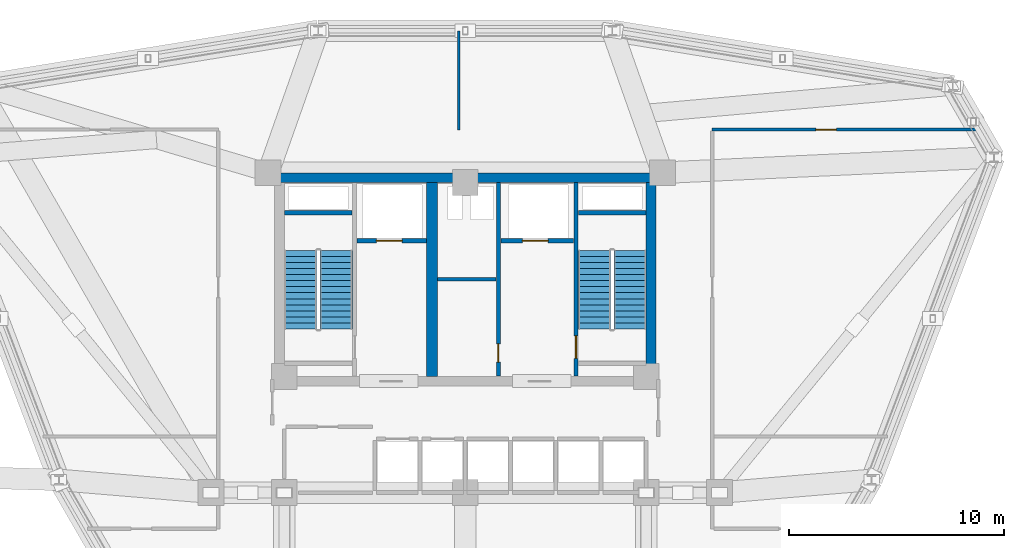
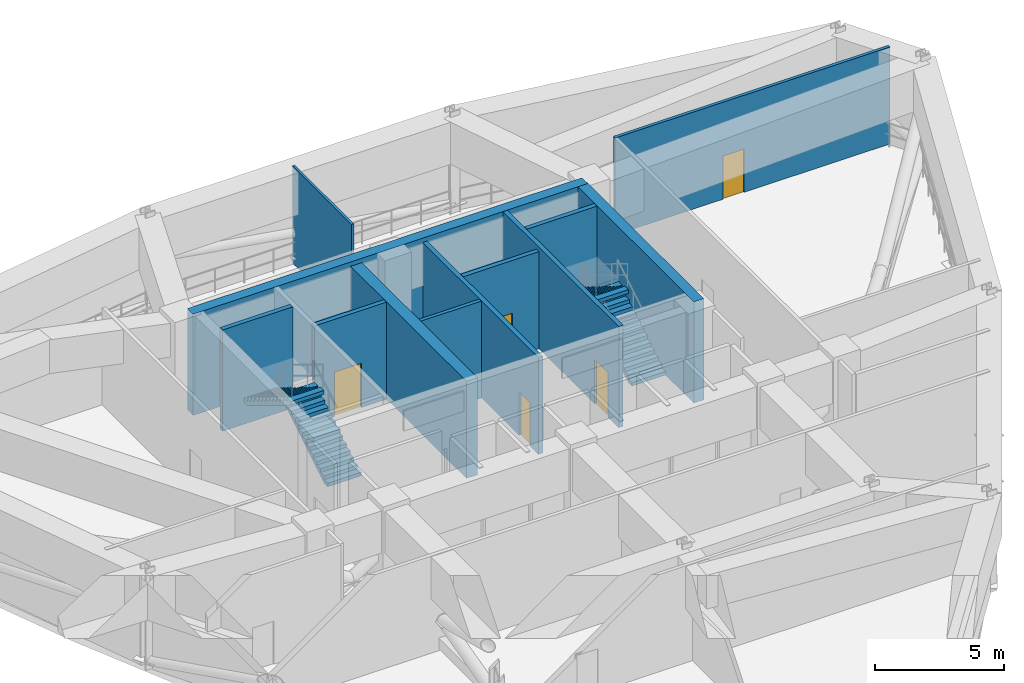
# One storey, part 9 of 13: 12 walls, 5 doors, 4 stair flights, 5 openings, 2 elements without a shape of their own.
"""IFC4 building model written with IfcOpenShell, lengths in metres."""

from ifc_helpers import new_model, si_unit, derived_unit, direction, frame, frame_2d, origin, place, context, subcontext, project, spatial, polyline, rectangle, outline, extrude, material, layer, layer_set, type_object, element, fill, aggregate, save


model = new_model("IFC4")

# Units and contexts
model_context = context("Model", 3, precision=1e-05, world=origin(), true_north=direction((0.0, 1.0)))
body_context = subcontext(model_context, "Body", "Model", "MODEL_VIEW")
ifc_project = project(units=[si_unit("LENGTHUNIT", "METRE"), si_unit("AREAUNIT", "SQUARE_METRE"), si_unit("VOLUMEUNIT", "CUBIC_METRE"), si_unit("PLANEANGLEUNIT", "RADIAN"), si_unit("MASSUNIT", "GRAM", prefix="KILO"), derived_unit("THERMALTRANSMITTANCEUNIT", [(si_unit("POWERUNIT", "WATT"), 1), (si_unit("LENGTHUNIT", "METRE"), -2), (si_unit("THERMODYNAMICTEMPERATUREUNIT", "KELVIN"), -1)])], contexts=[model_context])

# Site, building, storey
site_placement = place(None, origin())
site = spatial("IfcSite", under=ifc_project, at=site_placement, CompositionType="ELEMENT")
building_placement = place(site_placement, origin())
building = spatial("IfcBuilding", under=site, at=building_placement, Name="Korsvarv Bourse and Concert Hall", CompositionType="ELEMENT")
storey_placement = place(building_placement, frame((0.0, 0.0, 131.39990234375)))
storey = spatial("IfcBuildingStorey", under=building, at=storey_placement, Name="L33", CompositionType="ELEMENT", Elevation=131.39990234375)

# Wall
ifc_material_1 = material(Name="Concrete C50/60", Category="concrete")
ifc_layer_1 = layer(ifc_material_1, 0.3798828125)
ifc_layer_set_1 = layer_set([ifc_layer_1], Name="Concrete C50/60")
wall_type_1 = type_object("IfcWallType", Name="WL-CORE-380", PredefinedType="SHEAR", material=ifc_layer_set_1)
wall_1_placement = place(storey_placement, frame((27.610107421875, 45.39990234375, 0.0), z_axis=(0.0, 0.0, 1.0), x_axis=(1.0, 0.0, 0.0)))
element("IfcWall", 1, at=wall_1_placement, inside=storey, type_object=wall_type_1, Name="L33 stair shaft structural wall W-L33-ST1-N", PredefinedType="SHEAR", context=body_context, shape_type="SweptSolid", body=[
    extrude(rectangle(XDim=3.139892578125, YDim=0.199951171875, at=frame_2d((1.56982421875, 0.0))), origin(), (0.0, 0.0, 1.0), 4.800048828125),
])

# Wall, opening, door
wall_2_placement = place(storey_placement, frame((41.139892578125, 37.81005859375, 0.0), z_axis=(0.0, 0.0, 1.0), x_axis=(0.0, 1.0, 0.0)))
wall_2 = element("IfcWall", 2, at=wall_2_placement, inside=storey, type_object=wall_type_1, Name="L33 stair shaft structural wall W-L33-ST2-W", PredefinedType="SHEAR", context=body_context, shape_type="SweptSolid", body=[
    extrude(rectangle(XDim=8.97998046875, YDim=0.199951171875, at=frame_2d((4.489990234375, 0.0))), origin(), (0.0, 0.0, 1.0), 4.800048828125),
])
opening_1_placement = place(wall_2_placement, frame((0.820068359375, 0.0, 0.0)))
opening_1 = element("IfcOpeningElement", 3, at=opening_1_placement, cuts=wall_2, Name="Opening D-01", PredefinedType="OPENING", context=body_context, shape_type="SweptSolid", body=[
    extrude(rectangle(XDim=1.050048828125, YDim=2.10009765625, at=frame_2d((0.52490234375, 1.050048828125))), frame((0.0, 0.10986328125, 0.0), z_axis=(0.0, -1.0, 0.0), x_axis=(1.0, 0.0, 0.0)), (0.0, 0.0, 1.0), 0.219970703125),
])
ifc_material_2 = material(Name="Steel S355 fire door", Category="steel")
door_type_1 = type_object("IfcDoorType", Name="DR-FD60", OperationType="NOTDEFINED", PredefinedType="DOOR", material=ifc_material_2)
door_1_placement = place(opening_1_placement, frame((1.050048828125, 0.0, 0.0), z_axis=(0.0, 0.0, 1.0), x_axis=(-1.0, 0.0, 0.0)))
door_1 = element("IfcDoor", 4, at=door_1_placement, inside=storey, type_object=door_type_1, Name="L33 interior door DR-L33-ST2", OperationType="SINGLE_SWING_RIGHT", OverallHeight=2.10009765625, OverallWidth=1.050048828125, PredefinedType="DOOR", context=body_context, shape_type="SweptSolid", body=[
    extrude(rectangle(XDim=1.050048828125, YDim=2.10009765625, at=frame_2d((0.52490234375, 1.050048828125))), frame((0.0, 0.02490234375, 0.0), z_axis=(0.0, -1.0, 0.0), x_axis=(1.0, 0.0, 0.0)), (0.0, 0.0, 1.0), 0.050048828125),
])
fill(opening_1, door_1)

# Walls
wall_3_placement = place(storey_placement, frame((41.25, 45.39990234375, 0.0), z_axis=(0.0, 0.0, 1.0), x_axis=(1.0, 0.0, 0.0)))
element("IfcWall", 5, at=wall_3_placement, inside=storey, type_object=wall_type_1, Name="L33 stair shaft structural wall W-L33-ST2-N", PredefinedType="SHEAR", context=body_context, shape_type="SweptSolid", body=[
    extrude(rectangle(XDim=3.139892578125, YDim=0.199951171875, at=frame_2d((1.56982421875, 0.0))), origin(), (0.0, 0.0, 1.0), 4.800048828125),
])
ifc_material_3 = material(Name="Concrete C55/67", Category="concrete")
ifc_layer_2 = layer(ifc_material_3, 0.449951171875)
ifc_layer_set_2 = layer_set([ifc_layer_2], Name="Concrete C55/67")
wall_type_2 = type_object("IfcWallType", Name="WL-CORE-450", PredefinedType="SHEAR", material=ifc_layer_set_2)
wall_4_placement = place(storey_placement, frame((27.14990234375, 47.02490234375, 0.0), z_axis=(0.0, 0.0, 1.0), x_axis=(1.0, 0.0, 0.0)))
element("IfcWall", 6, at=wall_4_placement, inside=storey, type_object=wall_type_2, Name="L33 North Core Shear Wall", PredefinedType="SHEAR", context=body_context, shape_type="SweptSolid", body=[
    extrude(rectangle(XDim=17.7001953125, YDim=0.449951171875, at=frame_2d((8.85009765625, 0.0))), origin(), (0.0, 0.0, 1.0), 4.800048828125),
])
wall_5_placement = place(storey_placement, frame((44.625, 37.800048828125, 0.0), z_axis=(0.0, 0.0, 1.0), x_axis=(0.0, 1.0, 0.0)))
element("IfcWall", 7, at=wall_5_placement, inside=storey, type_object=wall_type_2, Name="L33 East Core Shear Wall", PredefinedType="SHEAR", context=body_context, shape_type="SweptSolid", body=[
    extrude(rectangle(XDim=9.0, YDim=0.449951171875, at=frame_2d((4.5, 0.0))), origin(), (0.0, 0.0, 1.0), 4.800048828125),
])

# Wall, opening, door
ifc_material_4 = material(Name="Reinforced concrete blockwork C35/45 fire wall", Category="concrete")
ifc_layer_3 = layer(ifc_material_4, 0.199951171875)
ifc_layer_set_3 = layer_set([ifc_layer_3], Name="Reinforced concrete blockwork C35/45 fire wall")
wall_type_3 = type_object("IfcWallType", Name="WL-INT-EI120", PredefinedType="PARTITIONING", material=ifc_layer_set_3)
wall_6_placement = place(storey_placement, frame((30.969970703125, 44.10009765625, 0.0), z_axis=(0.0, 0.0, 1.0), x_axis=(1.0, 0.0, 0.0)))
wall_6 = element("IfcWall", 8, at=wall_6_placement, inside=storey, type_object=wall_type_3, Name="L33 interior partition wall W-L33-FF1-S", PredefinedType="PARTITIONING", context=body_context, shape_type="SweptSolid", body=[
    extrude(rectangle(XDim=3.22998046875, YDim=0.199951171875, at=frame_2d((1.614990234375, 0.0))), origin(), (0.0, 0.0, 1.0), 4.60009765625),
])
opening_2_placement = place(wall_6_placement, frame((0.89990234375, 0.0, 0.0)))
opening_2 = element("IfcOpeningElement", 9, at=opening_2_placement, cuts=wall_6, Name="Opening LD-1", PredefinedType="OPENING", context=body_context, shape_type="SweptSolid", body=[
    extrude(rectangle(XDim=1.199951171875, YDim=2.10009765625, at=frame_2d((0.60009765625, 1.050048828125))), frame((0.0, 0.10986328125, 0.0), z_axis=(0.0, -1.0, 0.0), x_axis=(1.0, 0.0, 0.0)), (0.0, 0.0, 1.0), 0.219970703125),
])
ifc_material_5 = material(Name="Stainless Steel S355 firefighting lift landing door", Category="steel")
door_type_2 = type_object("IfcDoorType", Name="DR-LIFT-FF", OperationType="DOUBLE_DOOR_SLIDING", PredefinedType="DOOR", material=ifc_material_5)
door_2_placement = place(opening_2_placement, origin())
door_2 = element("IfcDoor", 10, at=door_2_placement, inside=storey, type_object=door_type_2, Name="L33 lift sliding landing door LD-L33-FF1", OperationType="DOUBLE_DOOR_SLIDING", OverallHeight=2.10009765625, OverallWidth=1.199951171875, PredefinedType="DOOR", context=body_context, shape_type="SweptSolid", body=[
    extrude(rectangle(XDim=1.199951171875, YDim=2.10009765625, at=frame_2d((0.60009765625, 1.050048828125))), frame((0.0, 0.02490234375, 0.0), z_axis=(0.0, -1.0, 0.0), x_axis=(1.0, 0.0, 0.0)), (0.0, 0.0, 1.0), 0.050048828125),
])
fill(opening_2, door_2)

wall_7_placement = place(storey_placement, frame((37.64990234375, 44.10009765625, 0.0), z_axis=(0.0, 0.0, 1.0), x_axis=(1.0, 0.0, 0.0)))
wall_7 = element("IfcWall", 11, at=wall_7_placement, inside=storey, type_object=wall_type_3, Name="L33 interior partition wall W-L33-FF2-S", PredefinedType="PARTITIONING", context=body_context, shape_type="SweptSolid", body=[
    extrude(rectangle(XDim=3.380126953125, YDim=0.199951171875, at=frame_2d((1.68994140625, 0.0))), origin(), (0.0, 0.0, 1.0), 4.60009765625),
])
opening_3_placement = place(wall_7_placement, frame((1.0, 0.0, 0.0)))
opening_3 = element("IfcOpeningElement", 12, at=opening_3_placement, cuts=wall_7, Name="Opening LD-1", PredefinedType="OPENING", context=body_context, shape_type="SweptSolid", body=[
    extrude(rectangle(XDim=1.199951171875, YDim=2.10009765625, at=frame_2d((0.60009765625, 1.050048828125))), frame((0.0, 0.10986328125, 0.0), z_axis=(0.0, -1.0, 0.0), x_axis=(1.0, 0.0, 0.0)), (0.0, 0.0, 1.0), 0.219970703125),
])
door_3_placement = place(opening_3_placement, origin())
door_3 = element("IfcDoor", 13, at=door_3_placement, inside=storey, type_object=door_type_2, Name="L33 lift sliding landing door LD-L33-FF2", OperationType="DOUBLE_DOOR_SLIDING", OverallHeight=2.10009765625, OverallWidth=1.199951171875, PredefinedType="DOOR", context=body_context, shape_type="SweptSolid", body=[
    extrude(rectangle(XDim=1.199951171875, YDim=2.10009765625, at=frame_2d((0.60009765625, 1.050048828125))), frame((0.0, 0.02490234375, 0.0), z_axis=(0.0, -1.0, 0.0), x_axis=(1.0, 0.0, 0.0)), (0.0, 0.0, 1.0), 0.050048828125),
])
fill(opening_3, door_3)

wall_8_placement = place(storey_placement, frame((37.5400390625, 37.81005859375, 0.0), z_axis=(0.0, 0.0, 1.0), x_axis=(0.0, 1.0, 0.0)))
wall_8 = element("IfcWall", 14, at=wall_8_placement, inside=storey, type_object=wall_type_3, Name="L33 interior partition wall W-L33-CSB-E", PredefinedType="PARTITIONING", context=body_context, shape_type="SweptSolid", body=[
    extrude(rectangle(XDim=8.97998046875, YDim=0.199951171875, at=frame_2d((4.489990234375, 0.0))), origin(), (0.0, 0.0, 1.0), 4.60009765625),
])
opening_4_placement = place(wall_8_placement, frame((0.64990234375, 0.0, 0.0)))
opening_4 = element("IfcOpeningElement", 15, at=opening_4_placement, cuts=wall_8, Name="Opening D-05", PredefinedType="OPENING", context=body_context, shape_type="SweptSolid", body=[
    extrude(rectangle(XDim=0.85009765625, YDim=2.050048828125, at=frame_2d((0.425048828125, 1.02490234375))), frame((0.0, 0.10986328125, 0.0), z_axis=(0.0, -1.0, 0.0), x_axis=(1.0, 0.0, 0.0)), (0.0, 0.0, 1.0), 0.219970703125),
])
door_type_3 = type_object("IfcDoorType", Name="DR-FD60-850X2050", OperationType="NOTDEFINED", PredefinedType="DOOR", material=ifc_material_2)
door_4_placement = place(opening_4_placement, origin())
door_4 = element("IfcDoor", 16, at=door_4_placement, inside=storey, type_object=door_type_3, Name="L33 interior door DR-L33-CSB2", OperationType="SINGLE_SWING_LEFT", OverallHeight=2.050048828125, OverallWidth=0.85009765625, PredefinedType="DOOR", context=body_context, shape_type="SweptSolid", body=[
    extrude(rectangle(XDim=0.85009765625, YDim=2.050048828125, at=frame_2d((0.425048828125, 1.02490234375))), frame((0.0, 0.02490234375, 0.0), z_axis=(0.0, -1.0, 0.0), x_axis=(1.0, 0.0, 0.0)), (0.0, 0.0, 1.0), 0.050048828125),
])
fill(opening_4, door_4)

# Walls
ifc_material_6 = material(Name="Double-stud fire-rated acoustic partition", Category="gypsum")
ifc_layer_4 = layer(ifc_material_6, 0.159912109375)
ifc_layer_set_4 = layer_set([ifc_layer_4], Name="Double-stud fire-rated acoustic partition")
wall_type_4 = type_object("IfcWallType", Name="WL-INT-EI60", PredefinedType="PARTITIONING", material=ifc_layer_set_4)
wall_9_placement = place(storey_placement, frame((34.719970703125, 42.300048828125, 0.0), z_axis=(0.0, 0.0, 1.0), x_axis=(1.0, 0.0, 0.0)))
element("IfcWall", 17, at=wall_9_placement, inside=storey, type_object=wall_type_4, Name="L33 interior partition wall W-L33-K1", PredefinedType="PARTITIONING", context=body_context, shape_type="SweptSolid", body=[
    extrude(rectangle(XDim=2.7099609375, YDim=0.159912109375, at=frame_2d((1.35498046875, 0.0))), origin(), (0.0, 0.0, 1.0), 4.60009765625),
])
ifc_material_7 = material(Name="Demountable acoustic glass and aluminium dealing partition", Category="aluminium")
ifc_layer_5 = layer(ifc_material_7, 0.110107421875)
ifc_layer_set_5 = layer_set([ifc_layer_5], Name="Demountable acoustic glass and aluminium dealing partition")
wall_type_5 = type_object("IfcWallType", Name="WL-INT-MOV", PredefinedType="MOVABLE", material=ifc_layer_set_5)
wall_10_placement = place(storey_placement, frame((35.705078125, 49.239990234375, 0.0), z_axis=(0.0, 0.0, 1.0), x_axis=(0.0, 1.0, 0.0)))
element("IfcWall", 18, at=wall_10_placement, inside=storey, type_object=wall_type_5, Name="L33 interior partition wall W-L33-RCOR-12", PredefinedType="MOVABLE", context=body_context, shape_type="SweptSolid", body=[
    extrude(rectangle(XDim=4.581298828125, YDim=0.110107421875, at=frame_2d((2.29052734375, 0.0))), origin(), (0.0, 0.0, 1.0), 4.60009765625),
])

# Wall, opening, door
ifc_material_8 = material(Name="Insulated steel-stud office acoustic partition", Category="gypsum")
ifc_layer_6 = layer(ifc_material_8, 0.139892578125)
ifc_layer_set_6 = layer_set([ifc_layer_6], Name="Insulated steel-stud office acoustic partition")
wall_type_6 = type_object("IfcWallType", Name="WL-INT-P1", PredefinedType="PARTITIONING", material=ifc_layer_set_6)
wall_11_placement = place(storey_placement, frame((47.44677734375, 49.2548828125, 0.0), z_axis=(0.0, 0.0, 1.0), x_axis=(1.0, 0.0, 0.0)))
wall_11 = element("IfcWall", 19, at=wall_11_placement, inside=storey, type_object=wall_type_6, Name="L33 interior partition wall W-L33-RCOR-08", PredefinedType="PARTITIONING", context=body_context, shape_type="SweptSolid", body=[
    extrude(rectangle(XDim=12.330810546875, YDim=0.139892578125, at=frame_2d((6.16552734375, 0.0))), origin(), (0.0, 0.0, 1.0), 4.60009765625),
])
opening_5_placement = place(wall_11_placement, frame((4.8271484375, 0.0, 0.0)))
opening_5 = element("IfcOpeningElement", 20, at=opening_5_placement, cuts=wall_11, Name="Opening D-03", PredefinedType="OPENING", context=body_context, shape_type="SweptSolid", body=[
    extrude(rectangle(XDim=0.949951171875, YDim=2.050048828125, at=frame_2d((0.47509765625, 1.02490234375))), frame((0.0, 0.080078125, 0.0), z_axis=(0.0, -1.0, 0.0), x_axis=(1.0, 0.0, 0.0)), (0.0, 0.0, 1.0), 0.159912109375),
])
ifc_material_9 = material(Name="Nordic oak acoustic office door", Category="wood")
door_type_4 = type_object("IfcDoorType", Name="DR-INT-1", OperationType="NOTDEFINED", PredefinedType="DOOR", material=ifc_material_9)
door_5_placement = place(opening_5_placement, origin())
door_5 = element("IfcDoor", 21, at=door_5_placement, inside=storey, type_object=door_type_4, Name="L33 interior door DR-L33-RCOR-PL66", OperationType="SINGLE_SWING_LEFT", OverallHeight=2.050048828125, OverallWidth=0.949951171875, PredefinedType="DOOR", context=body_context, shape_type="SweptSolid", body=[
    extrude(rectangle(XDim=0.949951171875, YDim=2.050048828125, at=frame_2d((0.47509765625, 1.02490234375))), frame((0.0, 0.02490234375, 0.0), z_axis=(0.0, -1.0, 0.0), x_axis=(1.0, 0.0, 0.0)), (0.0, 0.0, 1.0), 0.050048828125),
])
fill(opening_5, door_5)

# Wall
ifc_material_10 = material(Name="Concrete C60/75", Category="concrete")
ifc_layer_7 = layer(ifc_material_10, 0.5)
ifc_layer_set_7 = layer_set([ifc_layer_7], Name="Concrete C60/75")
wall_type_7 = type_object("IfcWallType", Name="WL-OUTR-500", PredefinedType="SHEAR", material=ifc_layer_set_7)
wall_12_placement = place(storey_placement, frame((34.4599609375, 37.800048828125, 0.0), z_axis=(0.0, 0.0, 1.0), x_axis=(0.0, 1.0, 0.0)))
element("IfcWall", 22, at=wall_12_placement, inside=storey, type_object=wall_type_7, Name="L33 Core Central Outrigger Web Shear Wall", PredefinedType="SHEAR", context=body_context, shape_type="SweptSolid", body=[
    extrude(rectangle(XDim=9.0, YDim=0.5, at=frame_2d((4.5, 0.0))), origin(), (0.0, 0.0, 1.0), 4.60009765625),
])

# Stair, stair flights
ifc_material_11 = material(Name="Precast concrete C45/55", Category="concrete")
stair_type = type_object("IfcStairType", Name="STR-TYPE-02", PredefinedType="HALF_TURN_STAIR", material=ifc_material_11)
stair_1_placement = place(storey_placement, origin())
stair_1 = element("IfcStair", 23, at=stair_1_placement, inside=storey, type_object=stair_type, Name="L33 Tower West Exit Stair ST-T1", PredefinedType="HALF_TURN_STAIR")
stair_flight_type = type_object("IfcStairFlightType", Name="FLT-TYPE-02", PredefinedType="STRAIGHT", material=ifc_material_11)
stair_flight_1_placement = place(storey_placement, frame((30.010009765625, 40.0, 0.0), z_axis=(0.0, 0.0, 1.0), x_axis=(0.0, 1.0, 0.0)))
stair_flight_1 = element("IfcStairFlight", 24, at=stair_flight_1_placement, type_object=stair_flight_type, Name="ST-T1 flight 1", NumberOfRisers=14, NumberOfTreads=13, PredefinedType="STRAIGHT", RiserHeight=0.171428571, TreadLength=0.28, context=body_context, shape_type="SweptSolid", body=[
    extrude(outline(polyline([(0.0, 0.0), (0.0, 0.17138671875), (0.280029296875, 0.17138671875), (0.280029296875, 0.3427734375), (0.56005859375, 0.3427734375), (0.56005859375, 0.514404296875), (0.840087890625, 0.514404296875), (0.840087890625, 0.685791015625), (1.1201171875, 0.685791015625), (1.1201171875, 0.857177734375), (1.39990234375, 0.857177734375), (1.39990234375, 1.028564453125), (1.679931640625, 1.028564453125), (1.679931640625, 1.199951171875), (1.9599609375, 1.199951171875), (1.9599609375, 1.371337890625), (2.239990234375, 1.371337890625), (2.239990234375, 1.54296875), (2.52001953125, 1.54296875), (2.52001953125, 1.71435546875), (2.800048828125, 1.71435546875), (2.800048828125, 1.8857421875), (3.080078125, 1.8857421875), (3.080078125, 2.05712890625), (3.360107421875, 2.05712890625), (3.360107421875, 2.228515625), (3.639892578125, 2.228515625), (3.639892578125, 2.39990234375), (3.639892578125, 2.052734375), (0.287109375, 0.0), (0.0, 0.0)])), frame((0.0, 0.75, 0.0), z_axis=(0.0, -1.0, 0.0), x_axis=(1.0, 0.0, 0.0)), (0.0, 0.0, 1.0), 1.5),
])
stair_flight_2_placement = place(storey_placement, frame((28.35009765625, 43.639892578125, 2.400146484375), z_axis=(0.0, 0.0, 1.0), x_axis=(0.0, -1.0, 0.0)))
stair_flight_2 = element("IfcStairFlight", 25, at=stair_flight_2_placement, type_object=stair_flight_type, Name="ST-T1 flight 2", NumberOfRisers=14, NumberOfTreads=13, PredefinedType="STRAIGHT", RiserHeight=0.171428571, TreadLength=0.28, context=body_context, shape_type="SweptSolid", body=[
    extrude(outline(polyline([(0.0, 0.0), (0.0, 0.17138671875), (0.280029296875, 0.17138671875), (0.280029296875, 0.3427734375), (0.56005859375, 0.3427734375), (0.56005859375, 0.514404296875), (0.840087890625, 0.514404296875), (0.840087890625, 0.685791015625), (1.1201171875, 0.685791015625), (1.1201171875, 0.857177734375), (1.39990234375, 0.857177734375), (1.39990234375, 1.028564453125), (1.679931640625, 1.028564453125), (1.679931640625, 1.199951171875), (1.9599609375, 1.199951171875), (1.9599609375, 1.371337890625), (2.239990234375, 1.371337890625), (2.239990234375, 1.54296875), (2.52001953125, 1.54296875), (2.52001953125, 1.71435546875), (2.800048828125, 1.71435546875), (2.800048828125, 1.8857421875), (3.080078125, 1.8857421875), (3.080078125, 2.05712890625), (3.360107421875, 2.05712890625), (3.360107421875, 2.228515625), (3.639892578125, 2.228515625), (3.639892578125, 2.39990234375), (3.639892578125, 2.052734375), (0.287109375, 0.0), (0.0, 0.0)])), frame((0.0, 0.75, 0.0), z_axis=(0.0, -1.0, 0.0), x_axis=(1.0, 0.0, 0.0)), (0.0, 0.0, 1.0), 1.5),
])
aggregate(stair_1, [stair_flight_1, stair_flight_2])

stair_2_placement = place(storey_placement, origin())
stair_2 = element("IfcStair", 26, at=stair_2_placement, inside=storey, type_object=stair_type, Name="L33 Tower East Exit Stair ST-T2", PredefinedType="HALF_TURN_STAIR")
stair_flight_3_placement = place(storey_placement, frame((43.64990234375, 40.0, 0.0), z_axis=(0.0, 0.0, 1.0), x_axis=(0.0, 1.0, 0.0)))
stair_flight_3 = element("IfcStairFlight", 27, at=stair_flight_3_placement, type_object=stair_flight_type, Name="ST-T2 flight 1", NumberOfRisers=14, NumberOfTreads=13, PredefinedType="STRAIGHT", RiserHeight=0.171428571, TreadLength=0.28, context=body_context, shape_type="SweptSolid", body=[
    extrude(outline(polyline([(0.0, 0.0), (0.0, 0.17138671875), (0.280029296875, 0.17138671875), (0.280029296875, 0.3427734375), (0.56005859375, 0.3427734375), (0.56005859375, 0.514404296875), (0.840087890625, 0.514404296875), (0.840087890625, 0.685791015625), (1.1201171875, 0.685791015625), (1.1201171875, 0.857177734375), (1.39990234375, 0.857177734375), (1.39990234375, 1.028564453125), (1.679931640625, 1.028564453125), (1.679931640625, 1.199951171875), (1.9599609375, 1.199951171875), (1.9599609375, 1.371337890625), (2.239990234375, 1.371337890625), (2.239990234375, 1.54296875), (2.52001953125, 1.54296875), (2.52001953125, 1.71435546875), (2.800048828125, 1.71435546875), (2.800048828125, 1.8857421875), (3.080078125, 1.8857421875), (3.080078125, 2.05712890625), (3.360107421875, 2.05712890625), (3.360107421875, 2.228515625), (3.639892578125, 2.228515625), (3.639892578125, 2.39990234375), (3.639892578125, 2.052734375), (0.287109375, 0.0), (0.0, 0.0)])), frame((0.0, 0.75, 0.0), z_axis=(0.0, -1.0, 0.0), x_axis=(1.0, 0.0, 0.0)), (0.0, 0.0, 1.0), 1.5),
])
stair_flight_4_placement = place(storey_placement, frame((41.989990234375, 43.639892578125, 2.400146484375), z_axis=(0.0, 0.0, 1.0), x_axis=(0.0, -1.0, 0.0)))
stair_flight_4 = element("IfcStairFlight", 28, at=stair_flight_4_placement, type_object=stair_flight_type, Name="ST-T2 flight 2", NumberOfRisers=14, NumberOfTreads=13, PredefinedType="STRAIGHT", RiserHeight=0.171428571, TreadLength=0.28, context=body_context, shape_type="SweptSolid", body=[
    extrude(outline(polyline([(0.0, 0.0), (0.0, 0.17138671875), (0.280029296875, 0.17138671875), (0.280029296875, 0.3427734375), (0.56005859375, 0.3427734375), (0.56005859375, 0.514404296875), (0.840087890625, 0.514404296875), (0.840087890625, 0.685791015625), (1.1201171875, 0.685791015625), (1.1201171875, 0.857177734375), (1.39990234375, 0.857177734375), (1.39990234375, 1.028564453125), (1.679931640625, 1.028564453125), (1.679931640625, 1.199951171875), (1.9599609375, 1.199951171875), (1.9599609375, 1.371337890625), (2.239990234375, 1.371337890625), (2.239990234375, 1.54296875), (2.52001953125, 1.54296875), (2.52001953125, 1.71435546875), (2.800048828125, 1.71435546875), (2.800048828125, 1.8857421875), (3.080078125, 1.8857421875), (3.080078125, 2.05712890625), (3.360107421875, 2.05712890625), (3.360107421875, 2.228515625), (3.639892578125, 2.228515625), (3.639892578125, 2.39990234375), (3.639892578125, 2.052734375), (0.287109375, 0.0), (0.0, 0.0)])), frame((0.0, 0.75, 0.0), z_axis=(0.0, -1.0, 0.0), x_axis=(1.0, 0.0, 0.0)), (0.0, 0.0, 1.0), 1.5),
])
aggregate(stair_2, [stair_flight_3, stair_flight_4])

save(model, "model.ifc")
